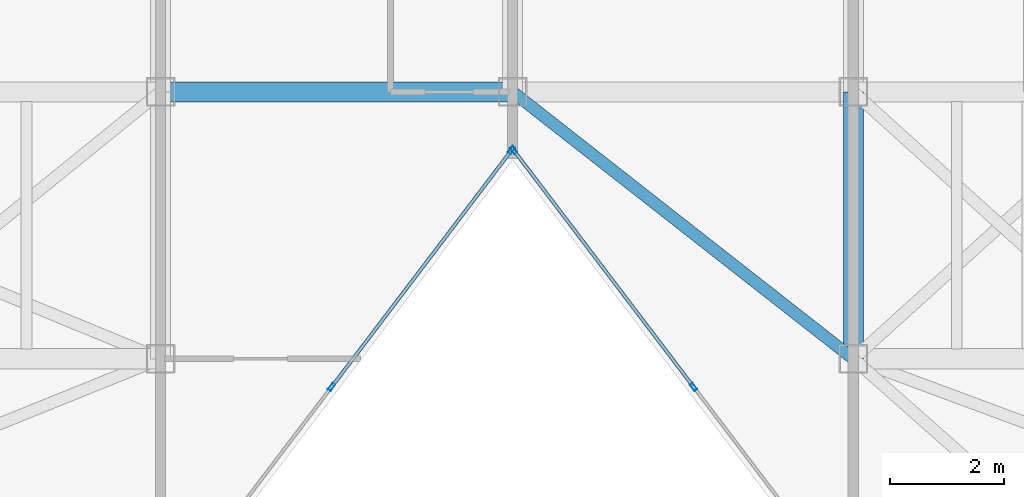
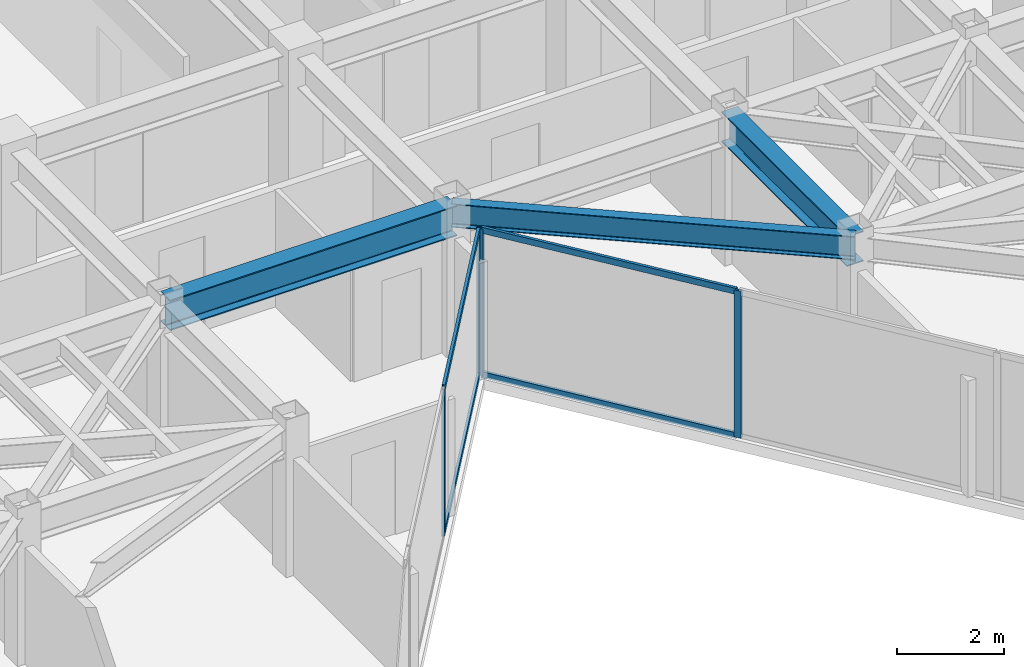
# One storey, part 7 of 17: 8 members, 3 beams, 2 elements without a shape of their own.
"""IFC4 building model written with IfcOpenShell, lengths in metres."""

from ifc_helpers import new_model, si_unit, direction, frame, origin, origin_2d, place, context, subcontext, project, spatial, hollow_rectangle, i_section, extrude, material, layer, layer_set, material_profile, profile_set, type_object, element, aggregate, save


model = new_model("IFC4")

# Units and contexts
model_context = context("Model", 3, precision=1e-05, world=origin(), true_north=direction((0.0, 1.0)))
body_context = subcontext(model_context, "Body", "Model", "MODEL_VIEW")
ifc_project = project(units=[si_unit("LENGTHUNIT", "METRE"), si_unit("AREAUNIT", "SQUARE_METRE"), si_unit("VOLUMEUNIT", "CUBIC_METRE"), si_unit("PLANEANGLEUNIT", "RADIAN"), si_unit("MASSUNIT", "GRAM", prefix="KILO")], contexts=[model_context])

# Site, building, storey
site_placement = place(None, origin())
site = spatial("IfcSite", under=ifc_project, at=site_placement, CompositionType="ELEMENT")
building_placement = place(site_placement, origin())
building = spatial("IfcBuilding", under=site, at=building_placement, Name="Kravanh Interchange Tower", CompositionType="ELEMENT")
storey_placement = place(building_placement, frame((0.0, 0.0, 249.0)))
storey = spatial("IfcBuildingStorey", under=building, at=storey_placement, Name="L60", CompositionType="ELEMENT", Elevation=249.0)

# Curtain wall, members
ifc_material_1 = material(Name="Anodised Bronze Aluminium", Category="aluminium")
ifc_layer = layer(ifc_material_1, 0.179931640625)
ifc_layer_set = layer_set([ifc_layer], Name="Unitised Curtain Wall System CW-HTL Luxury Hotel")
curtain_wall_type = type_object("IfcCurtainWallType", Name="Unitised Curtain Wall System CW-HTL Luxury Hotel", PredefinedType="NOTDEFINED", material=ifc_layer_set)
curtain_wall_1_placement = place(storey_placement, origin())
curtain_wall_1 = element("IfcCurtainWall", 1, at=curtain_wall_1_placement, inside=storey, type_object=curtain_wall_type, Name="L60 Unitised Curtain Wall CW-L60-03", PredefinedType="NOTDEFINED")
ifc_material_2 = material(Name="Anodised Bronze Aluminium", Category="aluminium")
ifc_material_profile_1 = material_profile(ifc_material_2, hollow_rectangle(XDim=0.06005859375, YDim=0.139892578125, WallThickness=0.00390625, at=origin_2d()), Name="ALU60X140X4")
ifc_profile_set_1 = profile_set([ifc_material_profile_1], Name="Anodised Bronze Aluminium")
member_type_1 = type_object("IfcMemberType", Name="Curtain Wall Mullion ALU60X140X4 Bronze", PredefinedType="MULLION", material=ifc_profile_set_1)
member_1_placement = place(storey_placement, frame((47.986572265625, 26.305419921875, 0.0), z_axis=(0.0, 0.0, 1.0), x_axis=(-0.79616243806, -0.605082946564, 0.0)))
member_1 = element("IfcMember", 2, at=member_1_placement, type_object=member_type_1, Name="CW-HTL mullion 3", PredefinedType="MULLION", context=body_context, shape_type="SweptSolid", body=[
    extrude(hollow_rectangle(XDim=0.06005859375, YDim=0.139892578125, WallThickness=0.00390625, at=origin_2d()), origin(), (0.0, 0.0, 1.0), 3.360107421875),
])
member_2_placement = place(storey_placement, frame((44.818115234375, 30.474365234375, 0.0), z_axis=(0.0, 0.0, 1.0), x_axis=(-0.79616243806, -0.605082946564, 0.0)))
member_2 = element("IfcMember", 3, at=member_2_placement, type_object=member_type_1, Name="CW-HTL mullion 4", PredefinedType="MULLION", context=body_context, shape_type="SweptSolid", body=[
    extrude(hollow_rectangle(XDim=0.06005859375, YDim=0.139892578125, WallThickness=0.00390625, at=origin_2d()), origin(), (0.0, 0.0, 1.0), 3.360107421875),
])

curtain_wall_2_placement = place(storey_placement, origin())
curtain_wall_2 = element("IfcCurtainWall", 4, at=curtain_wall_2_placement, inside=storey, type_object=curtain_wall_type, Name="L60 Unitised Curtain Wall CW-L60-04", PredefinedType="NOTDEFINED")
member_3_placement = place(storey_placement, frame((44.78173828125, 30.474365234375, 0.0), z_axis=(0.0, 0.0, 1.0), x_axis=(0.79616243806, -0.605082946564, 0.0)))
member_3 = element("IfcMember", 5, at=member_3_placement, type_object=member_type_1, Name="CW-HTL mullion 1", PredefinedType="MULLION", context=body_context, shape_type="SweptSolid", body=[
    extrude(hollow_rectangle(XDim=0.06005859375, YDim=0.139892578125, WallThickness=0.00390625, at=origin_2d()), origin(), (0.0, 0.0, 1.0), 3.360107421875),
])
member_4_placement = place(storey_placement, frame((41.613525390625, 26.305419921875, 0.0), z_axis=(0.0, 0.0, 1.0), x_axis=(0.79616243806, -0.605082946564, 0.0)))
member_4 = element("IfcMember", 6, at=member_4_placement, type_object=member_type_1, Name="CW-HTL mullion 2", PredefinedType="MULLION", context=body_context, shape_type="SweptSolid", body=[
    extrude(hollow_rectangle(XDim=0.06005859375, YDim=0.139892578125, WallThickness=0.00390625, at=origin_2d()), origin(), (0.0, 0.0, 1.0), 3.360107421875),
])

# Member
ifc_material_3 = material(Name="Anodised Bronze Aluminium", Category="aluminium")
ifc_material_profile_2 = material_profile(ifc_material_3, hollow_rectangle(XDim=0.06005859375, YDim=0.139892578125, WallThickness=0.00390625, at=origin_2d()), Name="ALU60X140X4")
ifc_profile_set_2 = profile_set([ifc_material_profile_2], Name="Anodised Bronze Aluminium")
member_type_2 = type_object("IfcMemberType", Name="Curtain Wall Transom ALU60X140X4 Bronze", PredefinedType="USERDEFINED", material=ifc_profile_set_2)
member_5_placement = place(storey_placement, frame((47.96826171875, 26.329345703125, 0.030029296875), z_axis=(-0.605059348861, 0.796180371747, 0.0), x_axis=(-0.796180371747, -0.605059348861, 0.0)))
member_5 = element("IfcMember", 7, at=member_5_placement, type_object=member_type_2, Name="CW-HTL transom 3.1", ObjectType="TRANSOM", PredefinedType="USERDEFINED", context=body_context, shape_type="SweptSolid", body=[
    extrude(hollow_rectangle(XDim=0.06005859375, YDim=0.139892578125, WallThickness=0.00390625, at=origin_2d()), origin(), (0.0, 0.0, 1.0), 5.176025390625),
])

member_6_placement = place(storey_placement, frame((47.96826171875, 26.329345703125, 3.330078125), z_axis=(-0.605059348861, 0.796180371747, 0.0), x_axis=(-0.796180371747, -0.605059348861, 0.0)))
member_6 = element("IfcMember", 8, at=member_6_placement, type_object=member_type_2, Name="CW-HTL transom 3.2", ObjectType="TRANSOM", PredefinedType="USERDEFINED", context=body_context, shape_type="SweptSolid", body=[
    extrude(hollow_rectangle(XDim=0.06005859375, YDim=0.139892578125, WallThickness=0.00390625, at=origin_2d()), origin(), (0.0, 0.0, 1.0), 5.176025390625),
])

aggregate(curtain_wall_1, [member_1, member_2, member_5, member_6])

member_7_placement = place(storey_placement, frame((44.763671875, 30.450439453125, 0.030029296875), z_axis=(-0.605089246946, -0.796157649734, 0.0), x_axis=(0.796157649734, -0.605089246946, 0.0)))
member_7 = element("IfcMember", 9, at=member_7_placement, type_object=member_type_2, Name="CW-HTL transom 1.1", ObjectType="TRANSOM", PredefinedType="USERDEFINED", context=body_context, shape_type="SweptSolid", body=[
    extrude(hollow_rectangle(XDim=0.06005859375, YDim=0.139892578125, WallThickness=0.00390625, at=origin_2d()), origin(), (0.0, 0.0, 1.0), 5.17626953125),
])

member_8_placement = place(storey_placement, frame((44.763671875, 30.450439453125, 3.330078125), z_axis=(-0.605089246946, -0.796157649734, 0.0), x_axis=(0.796157649734, -0.605089246946, 0.0)))
member_8 = element("IfcMember", 10, at=member_8_placement, type_object=member_type_2, Name="CW-HTL transom 1.2", ObjectType="TRANSOM", PredefinedType="USERDEFINED", context=body_context, shape_type="SweptSolid", body=[
    extrude(hollow_rectangle(XDim=0.06005859375, YDim=0.139892578125, WallThickness=0.00390625, at=origin_2d()), origin(), (0.0, 0.0, 1.0), 5.17626953125),
])

aggregate(curtain_wall_2, [member_3, member_4, member_7, member_8])

# Beams
ifc_material_4 = material(Name="Structural Steel S355", Category="steel")
ifc_material_profile_3 = material_profile(ifc_material_4, i_section(OverallWidth=0.35498046875, OverallDepth=0.696044921875, WebThickness=0.015380859375, FlangeThickness=0.02490234375, FilletRadius=0.02392578125, at=origin_2d()), Name="W27X146")
ifc_profile_set_3 = profile_set([ifc_material_profile_3], Name="Structural Steel S355")
beam_type_1 = type_object("IfcBeamType", Name="Floor Beam W27X146 Structural Steel S355", PredefinedType="BEAM", material=ifc_profile_set_3)
beam_1_placement = place(storey_placement, frame((44.800048828125, 31.5, 3.011962890625), z_axis=(-1.0, 0.0, 0.0), x_axis=(0.0, -1.0, 0.0)))
element("IfcBeam", 11, at=beam_1_placement, inside=storey, type_object=beam_type_1, Name="L60 Primary Floor Girder 3", PredefinedType="BEAM", context=body_context, shape_type="SweptSolid", body=[
    extrude(i_section(OverallWidth=0.35498046875, OverallDepth=0.696044921875, WebThickness=0.015380859375, FlangeThickness=0.02490234375, FilletRadius=0.02392578125, at=origin_2d()), origin(), (0.0, 0.0, 1.0), 6.199951171875),
])
beam_2_placement = place(storey_placement, frame((50.800048828125, 31.5, 3.011962890625), z_axis=(0.0, -1.0, 0.0), x_axis=(1.0, 0.0, 0.0)))
element("IfcBeam", 12, at=beam_2_placement, inside=storey, type_object=beam_type_1, Name="L60 Primary Floor Girder 5", PredefinedType="BEAM", context=body_context, shape_type="SweptSolid", body=[
    extrude(i_section(OverallWidth=0.35498046875, OverallDepth=0.696044921875, WebThickness=0.015380859375, FlangeThickness=0.02490234375, FilletRadius=0.02392578125, at=origin_2d()), origin(), (0.0, 0.0, 1.0), 4.699951171875),
])
ifc_material_5 = material(Name="Structural Steel S355", Category="steel")
ifc_material_profile_4 = material_profile(ifc_material_5, i_section(OverallWidth=0.2099609375, OverallDepth=0.537109375, WebThickness=0.010986328125, FlangeThickness=0.017333984375, FilletRadius=0.02001953125, at=origin_2d()), Name="W21X68")
ifc_profile_set_4 = profile_set([ifc_material_profile_4], Name="Structural Steel S355")
beam_type_2 = type_object("IfcBeamType", Name="Floor Spandrel W21X68 Structural Steel S355", PredefinedType="SPANDREL", material=ifc_profile_set_4)
beam_3_placement = place(storey_placement, frame((44.800048828125, 31.5, 3.091552734375), z_axis=(0.787231163579, -0.616658004967, 0.0), x_axis=(0.616658004967, 0.787231163579, 0.0)))
element("IfcBeam", 13, at=beam_3_placement, inside=storey, type_object=beam_type_2, Name="L60 Perimeter Spandrel 4", PredefinedType="SPANDREL", context=body_context, shape_type="SweptSolid", body=[
    extrude(i_section(OverallWidth=0.2099609375, OverallDepth=0.537109375, WebThickness=0.010986328125, FlangeThickness=0.017333984375, FilletRadius=0.02001953125, at=origin_2d()), origin(), (0.0, 0.0, 1.0), 7.62158203125),
])

save(model, "model.ifc")
